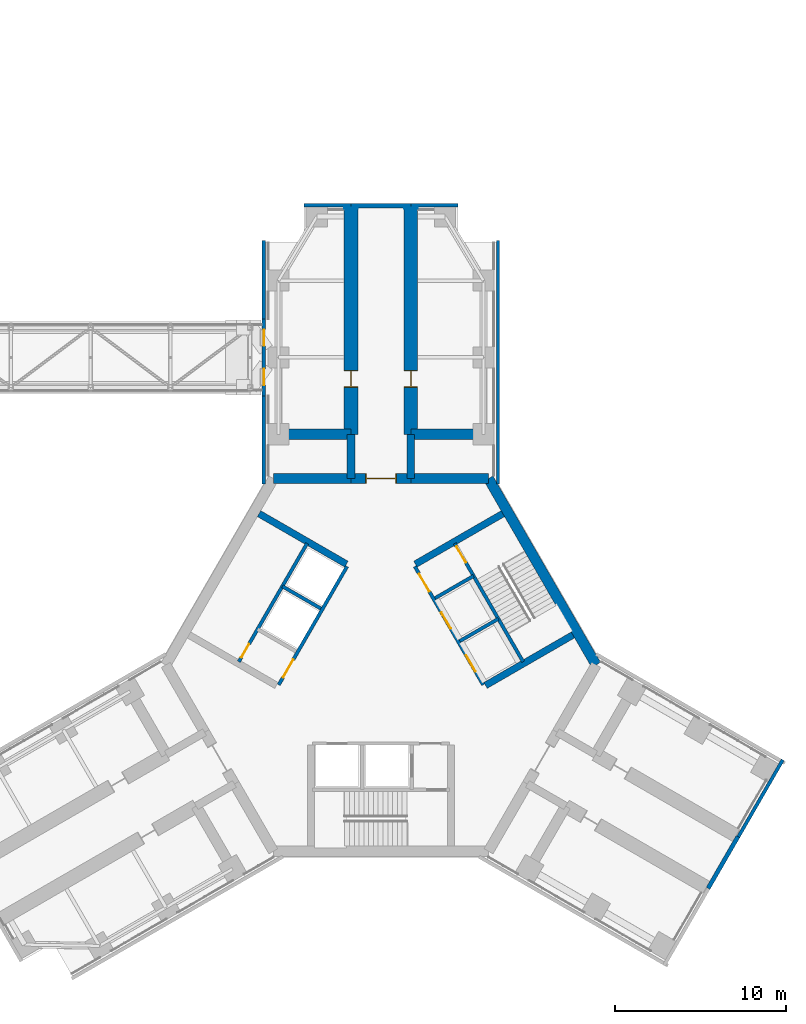
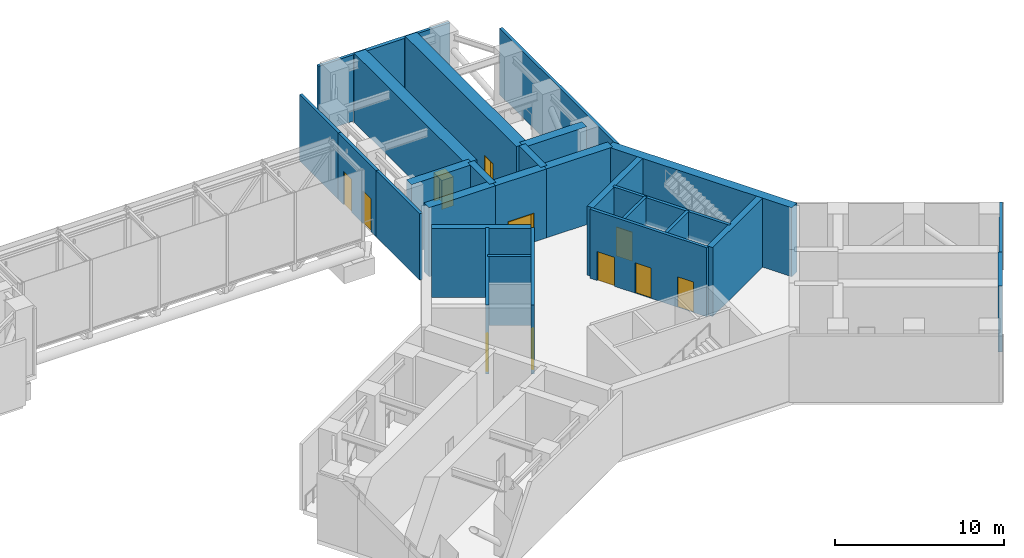
# One storey, part 10 of 15: 31 walls, 11 doors, 11 openings.
"""IFC4 building model written with IfcOpenShell, lengths in metres."""

from ifc_helpers import new_model, si_unit, direction, frame, frame_2d, origin, place, context, subcontext, project, spatial, rectangle, extrude, material, layer, layer_set, type_object, element, fill, save


model = new_model("IFC4")

# Units and contexts
model_context = context("Model", 3, precision=1e-05, world=origin(), true_north=direction((0.0, 1.0)))
body_context = subcontext(model_context, "Body", "Model", "MODEL_VIEW")
ifc_project = project(units=[si_unit("LENGTHUNIT", "METRE"), si_unit("AREAUNIT", "SQUARE_METRE"), si_unit("VOLUMEUNIT", "CUBIC_METRE"), si_unit("PLANEANGLEUNIT", "RADIAN"), si_unit("MASSUNIT", "GRAM", prefix="KILO")], contexts=[model_context])

# Site, building, storey
site_placement = place(None, origin())
site = spatial("IfcSite", under=ifc_project, at=site_placement, CompositionType="ELEMENT")
building_placement = place(site_placement, origin())
building = spatial("IfcBuilding", under=site, at=building_placement, Name="Upepo Twin Towers", CompositionType="ELEMENT")
storey_placement = place(building_placement, frame((0.0, 0.0, 165.5)))
storey = spatial("IfcBuildingStorey", under=building, at=storey_placement, Name="L40", CompositionType="ELEMENT", Elevation=165.5)

# Walls
ifc_material_1 = material(Name="Precast concrete breeze blocks", Category="concrete")
ifc_layer_1 = layer(ifc_material_1, 0.199951171875)
ifc_layer_set_1 = layer_set([ifc_layer_1], Name="Breeze-block screen wall 200")
wall_type_1 = type_object("IfcWallType", Name="Breeze-block screen wall 200", PredefinedType="USERDEFINED", material=ifc_layer_set_1)
wall_1_placement = place(storey_placement, frame((51.64990234375, -7.412841796875, 0.0), z_axis=(0.0, 0.0, 1.0), x_axis=(0.0, 1.0, 0.0)))
element("IfcWall", 1, at=wall_1_placement, inside=storey, type_object=wall_type_1, Name="T2 L40 wing A screen L1", ObjectType="SCREEN", PredefinedType="USERDEFINED", context=body_context, shape_type="SweptSolid", body=[
    extrude(rectangle(XDim=5.162841796875, YDim=0.199951171875, at=frame_2d((2.58154296875, 0.0))), origin(), (0.0, 0.0, 1.0), 4.800048828125),
])
wall_2_placement = place(storey_placement, frame((51.64990234375, 2.25, 0.0), z_axis=(0.0, 0.0, 1.0), x_axis=(0.0, 1.0, 0.0)))
element("IfcWall", 2, at=wall_2_placement, inside=storey, type_object=wall_type_1, Name="T2 L40 wing A screen L2", ObjectType="SCREEN", PredefinedType="USERDEFINED", context=body_context, shape_type="SweptSolid", body=[
    extrude(rectangle(XDim=4.60009765625, YDim=0.199951171875, at=frame_2d((2.300048828125, 0.0))), origin(), (0.0, 0.0, 1.0), 4.800048828125),
])
wall_3_placement = place(storey_placement, frame((65.35009765625, 6.85009765625, 0.0), z_axis=(0.0, 0.0, 1.0), x_axis=(0.0, -1.0, 0.0)))
element("IfcWall", 3, at=wall_3_placement, inside=storey, type_object=wall_type_1, Name="T2 L40 wing A screen R", ObjectType="SCREEN", PredefinedType="USERDEFINED", context=body_context, shape_type="SweptSolid", body=[
    extrude(rectangle(XDim=14.262939453125, YDim=0.199951171875, at=frame_2d((7.13134765625, 0.0))), origin(), (0.0, 0.0, 1.0), 4.800048828125),
])
for number, where, z_axis, x_axis, name in (
    (4, (63.0, 8.89990234375, 0.0), (0.0, 0.0, 1.0), (-1.0, 0.0, 0.0), "T2 L40 wing A nose screen 0"),
    (5, (56.75, 8.89990234375, 0.0), (0.0, 0.0, 1.0), (-1.0, 0.0, 0.0), "T2 L40 wing A nose screen 2"),
):
    element("IfcWall", number, at=place(storey_placement, frame(where, z_axis=z_axis, x_axis=x_axis)), inside=storey, type_object=wall_type_1, Name=name, ObjectType="SCREEN", PredefinedType="USERDEFINED", context=body_context, shape_type="SweptSolid", body=[
        extrude(rectangle(XDim=2.75, YDim=0.199951171875, at=frame_2d((1.375, 0.0))), origin(), (0.0, 0.0, 1.0), 4.800048828125),
    ])
wall_4_placement = place(storey_placement, frame((79.423583984375, -28.0595703125, 0.0), z_axis=(0.0, 0.0, 1.0), x_axis=(0.499971721724, 0.866041729639, 0.0)))
element("IfcWall", 6, at=wall_4_placement, inside=storey, type_object=wall_type_1, Name="T2 L40 wing C nose screen 2", ObjectType="SCREEN", PredefinedType="USERDEFINED", context=body_context, shape_type="SweptSolid", body=[
    extrude(rectangle(XDim=5.199951171875, YDim=0.199951171875, at=frame_2d((2.60009765625, 0.0))), origin(), (0.0, 0.0, 1.0), 4.800048828125),
])
ifc_material_2 = material(Name="Dense concrete blockwork", Category="masonry")
ifc_layer_2 = layer(ifc_material_2, 0.800048828125)
ifc_layer_set_2 = layer_set([ifc_layer_2], Name="Buttress closer 800, blockwork with fire-stopping to the curtain wall")
wall_type_2 = type_object("IfcWallType", Name="Buttress closer 800, blockwork with fire-stopping to the curtain wall", PredefinedType="PARTITIONING", material=ifc_layer_set_2)
for number, where, z_axis, x_axis, name in (
    (7, (56.75, 8.699951171875, 0.0), (0.0, 0.0, 1.0), (0.0, 1.0, 0.0), "T2 L40 wing A buttress closer L"),
    (8, (60.25, 8.699951171875, 0.0), (0.0, 0.0, 1.0), (0.0, 1.0, 0.0), "T2 L40 wing A buttress closer R"),
):
    element("IfcWall", number, at=place(storey_placement, frame(where, z_axis=z_axis, x_axis=x_axis)), inside=storey, type_object=wall_type_2, Name=name, PredefinedType="PARTITIONING", context=body_context, shape_type="SweptSolid", body=[
        extrude(rectangle(XDim=0.050048828125, YDim=0.800048828125, at=frame_2d((0.02490234375, 0.0))), origin(), (0.0, 0.0, 1.0), 4.800048828125),
    ])
ifc_material_3 = material(Name="Concrete C60/75", Category="concrete")
ifc_layer_3 = layer(ifc_material_3, 0.449951171875)
ifc_layer_set_3 = layer_set([ifc_layer_3], Name="Concrete C60/75")
wall_type_3 = type_object("IfcWallType", Name="Buttress wall 450 RC", PredefinedType="SHEAR", material=ifc_layer_set_3)
for number, where, z_axis, x_axis, name in (
    (9, (56.75, -7.091552734375, 0.0), (0.0, 0.0, 1.0), (0.0, 1.0, 0.0), "T2 wing A buttress wall L"),
    (10, (60.25, -7.091552734375, 0.0), (0.0, 0.0, 1.0), (0.0, 1.0, 0.0), "T2 wing A buttress wall R"),
):
    element("IfcWall", number, at=place(storey_placement, frame(where, z_axis=z_axis, x_axis=x_axis)), inside=storey, type_object=wall_type_3, Name=name, PredefinedType="SHEAR", context=body_context, shape_type="SweptSolid", body=[
        extrude(rectangle(XDim=2.591552734375, YDim=0.449951171875, at=frame_2d((1.2958984375, 0.0))), origin(), (0.0, 0.0, 1.0), 5.0),
    ])

# Wall, opening, door
ifc_material_4 = material(Name="Concrete C60/75", Category="concrete")
ifc_layer_4 = layer(ifc_material_4, 0.800048828125)
ifc_layer_set_4 = layer_set([ifc_layer_4], Name="Concrete C60/75")
wall_type_4 = type_object("IfcWallType", Name="Buttress wall 800 RC", PredefinedType="SHEAR", material=ifc_layer_set_4)
wall_5_placement = place(storey_placement, frame((56.75, -4.5, 0.0), z_axis=(0.0, 0.0, 1.0), x_axis=(0.0, 1.0, 0.0)))
wall_5 = element("IfcWall", 11, at=wall_5_placement, inside=storey, type_object=wall_type_4, Name="T2 wing A buttress wall L part 2", PredefinedType="SHEAR", context=body_context, shape_type="SweptSolid", body=[
    extrude(rectangle(XDim=13.199951171875, YDim=0.800048828125, at=frame_2d((6.60009765625, 0.0))), origin(), (0.0, 0.0, 1.0), 5.0),
])
opening_1_placement = place(wall_5_placement, frame((2.75, 0.0, 0.0)))
opening_1 = element("IfcOpeningElement", 12, at=opening_1_placement, cuts=wall_5, Name="Opening D1", PredefinedType="OPENING", context=body_context, shape_type="SweptSolid", body=[
    extrude(rectangle(XDim=1.0, YDim=2.10009765625, at=frame_2d((0.5, 1.050048828125))), frame((0.0, 0.409912109375, 0.0), z_axis=(0.0, -1.0, 0.0), x_axis=(1.0, 0.0, 0.0)), (0.0, 0.0, 1.0), 0.820068359375),
])
ifc_material_5 = material(Name="Timber doorset", Category="wood")
door_type_1 = type_object("IfcDoorType", Name="Room door 1000 FD30", OperationType="SINGLE_SWING_LEFT", PredefinedType="DOOR", material=ifc_material_5)
door_1_placement = place(opening_1_placement, origin())
door_1 = element("IfcDoor", 13, at=door_1_placement, inside=storey, type_object=door_type_1, Name="T2 L40 refuge area door", OperationType="SINGLE_SWING_LEFT", OverallHeight=2.10009765625, OverallWidth=1.0, PredefinedType="DOOR", context=body_context, shape_type="SweptSolid", body=[
    extrude(rectangle(XDim=0.92, YDim=2.06009765625, at=frame_2d((0.5, 1.030029296875))), frame((0.0, 0.02490234375, 0.0), z_axis=(0.0, -1.0, 0.0), x_axis=(1.0, 0.0, 0.0)), (0.0, 0.0, 1.0), 0.050048828125),
    extrude(rectangle(XDim=0.04, YDim=2.10009765625, at=frame_2d((0.02001953125, 1.050048828125))), frame((0.0, 0.39990234375, 0.0), z_axis=(0.0, -1.0, 0.0), x_axis=(1.0, 0.0, 0.0)), (0.0, 0.0, 1.0), 0.799560546875),
    extrude(rectangle(XDim=0.04, YDim=2.10009765625, at=frame_2d((0.97998046875, 1.050048828125))), frame((0.0, 0.39990234375, 0.0), z_axis=(0.0, -1.0, 0.0), x_axis=(1.0, 0.0, 0.0)), (0.0, 0.0, 1.0), 0.799560546875),
    extrude(rectangle(XDim=0.92, YDim=0.04, at=frame_2d((0.5, 2.080078125))), frame((0.0, 0.39990234375, 0.0), z_axis=(0.0, -1.0, 0.0), x_axis=(1.0, 0.0, 0.0)), (0.0, 0.0, 1.0), 0.799560546875),
])
fill(opening_1, door_1)

wall_6_placement = place(storey_placement, frame((60.25, -4.5, 0.0), z_axis=(0.0, 0.0, 1.0), x_axis=(0.0, 1.0, 0.0)))
wall_6 = element("IfcWall", 14, at=wall_6_placement, inside=storey, type_object=wall_type_4, Name="T2 wing A buttress wall R part 2", PredefinedType="SHEAR", context=body_context, shape_type="SweptSolid", body=[
    extrude(rectangle(XDim=13.199951171875, YDim=0.800048828125, at=frame_2d((6.60009765625, 0.0))), origin(), (0.0, 0.0, 1.0), 5.0),
])
opening_2_placement = place(wall_6_placement, frame((2.75, 0.0, 0.0)))
opening_2 = element("IfcOpeningElement", 15, at=opening_2_placement, cuts=wall_6, Name="Opening D1", PredefinedType="OPENING", context=body_context, shape_type="SweptSolid", body=[
    extrude(rectangle(XDim=1.0, YDim=2.10009765625, at=frame_2d((0.5, 1.050048828125))), frame((0.0, 0.409912109375, 0.0), z_axis=(0.0, -1.0, 0.0), x_axis=(1.0, 0.0, 0.0)), (0.0, 0.0, 1.0), 0.820068359375),
])
door_2_placement = place(opening_2_placement, origin())
door_2 = element("IfcDoor", 16, at=door_2_placement, inside=storey, type_object=door_type_1, Name="T2 L40 air-handling plant room door", OperationType="SINGLE_SWING_LEFT", OverallHeight=2.10009765625, OverallWidth=1.0, PredefinedType="DOOR", context=body_context, shape_type="SweptSolid", body=[
    extrude(rectangle(XDim=0.92, YDim=2.06009765625, at=frame_2d((0.5, 1.030029296875))), frame((0.0, 0.02490234375, 0.0), z_axis=(0.0, -1.0, 0.0), x_axis=(1.0, 0.0, 0.0)), (0.0, 0.0, 1.0), 0.050048828125),
    extrude(rectangle(XDim=0.04, YDim=2.10009765625, at=frame_2d((0.02001953125, 1.050048828125))), frame((0.0, 0.39990234375, 0.0), z_axis=(0.0, -1.0, 0.0), x_axis=(1.0, 0.0, 0.0)), (0.0, 0.0, 1.0), 0.799560546875),
    extrude(rectangle(XDim=0.04, YDim=2.10009765625, at=frame_2d((0.97998046875, 1.050048828125))), frame((0.0, 0.39990234375, 0.0), z_axis=(0.0, -1.0, 0.0), x_axis=(1.0, 0.0, 0.0)), (0.0, 0.0, 1.0), 0.799560546875),
    extrude(rectangle(XDim=0.92, YDim=0.04, at=frame_2d((0.5, 2.080078125))), frame((0.0, 0.39990234375, 0.0), z_axis=(0.0, -1.0, 0.0), x_axis=(1.0, 0.0, 0.0)), (0.0, 0.0, 1.0), 0.799560546875),
])
fill(opening_2, door_2)

# Wall
ifc_material_6 = material(Name="Concrete C60/75", Category="concrete")
ifc_layer_5 = layer(ifc_material_6, 0.60009765625)
ifc_layer_set_5 = layer_set([ifc_layer_5], Name="Concrete C60/75")
wall_type_5 = type_object("IfcWallType", Name="Core wall 600 RC", PredefinedType="SHEAR", material=ifc_layer_set_5)
wall_7_placement = place(storey_placement, frame((64.7978515625, -7.091552734375, 0.0), z_axis=(0.0, 0.0, 1.0), x_axis=(-1.0, 0.0, 0.0)))
element("IfcWall", 17, at=wall_7_placement, inside=storey, type_object=wall_type_5, Name="T2 core wall 000 R", PredefinedType="SHEAR", context=body_context, shape_type="SweptSolid", body=[
    extrude(rectangle(XDim=4.5478515625, YDim=0.60009765625, at=frame_2d((2.27392578125, 0.0))), origin(), (0.0, 0.0, 1.0), 5.0),
])

# Wall, opening, door
wall_8_placement = place(storey_placement, frame((60.25, -7.091552734375, 0.0), z_axis=(0.0, 0.0, 1.0), x_axis=(-1.0, 0.0, 0.0)))
wall_8 = element("IfcWall", 18, at=wall_8_placement, inside=storey, type_object=wall_type_5, Name="T2 core wall 000", PredefinedType="SHEAR", context=body_context, shape_type="SweptSolid", body=[
    extrude(rectangle(XDim=3.5, YDim=0.60009765625, at=frame_2d((1.75, 0.0))), origin(), (0.0, 0.0, 1.0), 5.0),
])
opening_3_placement = place(wall_8_placement, frame((0.85009765625, 0.0, 0.0)))
opening_3 = element("IfcOpeningElement", 19, at=opening_3_placement, cuts=wall_8, Name="Opening D2", PredefinedType="OPENING", context=body_context, shape_type="SweptSolid", body=[
    extrude(rectangle(XDim=1.800048828125, YDim=2.10009765625, at=frame_2d((0.89990234375, 1.050048828125))), frame((0.0, 0.31005859375, 0.0), z_axis=(0.0, -1.0, 0.0), x_axis=(1.0, 0.0, 0.0)), (0.0, 0.0, 1.0), 0.6201171875),
])
ifc_material_7 = material(Name="Timber doorset", Category="wood")
door_type_2 = type_object("IfcDoorType", Name="Corridor double door 1800 FD60", OperationType="DOUBLE_DOOR_DOUBLE_SWING", PredefinedType="DOOR", material=ifc_material_7)
door_3_placement = place(opening_3_placement, origin())
door_3 = element("IfcDoor", 20, at=door_3_placement, inside=storey, type_object=door_type_2, Name="T2 L40 wing A corridor door", OperationType="DOUBLE_DOOR_DOUBLE_SWING", OverallHeight=2.10009765625, OverallWidth=1.800048828125, PredefinedType="DOOR", context=body_context, shape_type="SweptSolid", body=[
    extrude(rectangle(XDim=1.720048828125, YDim=2.06009765625, at=frame_2d((0.89990234375, 1.030029296875))), frame((0.0, 0.02490234375, 0.0), z_axis=(0.0, -1.0, 0.0), x_axis=(1.0, 0.0, 0.0)), (0.0, 0.0, 1.0), 0.050048828125),
    extrude(rectangle(XDim=0.04, YDim=2.10009765625, at=frame_2d((0.02001953125, 1.050048828125))), frame((0.0, 0.2998046875, 0.0), z_axis=(0.0, -1.0, 0.0), x_axis=(1.0, 0.0, 0.0)), (0.0, 0.0, 1.0), 0.599609375),
    extrude(rectangle(XDim=0.04, YDim=2.10009765625, at=frame_2d((1.780029296875, 1.050048828125))), frame((0.0, 0.2998046875, 0.0), z_axis=(0.0, -1.0, 0.0), x_axis=(1.0, 0.0, 0.0)), (0.0, 0.0, 1.0), 0.599609375),
    extrude(rectangle(XDim=1.720048828125, YDim=0.04, at=frame_2d((0.89990234375, 2.080078125))), frame((0.0, 0.2998046875, 0.0), z_axis=(0.0, -1.0, 0.0), x_axis=(1.0, 0.0, 0.0)), (0.0, 0.0, 1.0), 0.599609375),
])
fill(opening_3, door_3)

# Walls
wall_9_placement = place(storey_placement, frame((56.75, -7.091552734375, 0.0), z_axis=(0.0, 0.0, 1.0), x_axis=(-1.0, 0.0, 0.0)))
element("IfcWall", 21, at=wall_9_placement, inside=storey, type_object=wall_type_5, Name="T2 core wall 000 L", PredefinedType="SHEAR", context=body_context, shape_type="SweptSolid", body=[
    extrude(rectangle(XDim=4.5478515625, YDim=0.60009765625, at=frame_2d((2.27392578125, 0.0))), origin(), (0.0, 0.0, 1.0), 5.0),
])
wall_10_placement = place(storey_placement, frame((71.095947265625, -18.0, 0.0), z_axis=(0.0, 0.0, 1.0), x_axis=(-0.500005998175, 0.866021940709, 0.0)))
element("IfcWall", 22, at=wall_10_placement, inside=storey, type_object=wall_type_5, Name="T2 core wall 300", PredefinedType="SHEAR", context=body_context, shape_type="SweptSolid", body=[
    extrude(rectangle(XDim=12.595947265625, YDim=0.60009765625, at=frame_2d((6.2978515625, 0.0))), origin(), (0.0, 0.0, 1.0), 5.0),
])
ifc_material_8 = material(Name="Blockwork with anodised aluminium cladding", Category="masonry")
ifc_layer_6 = layer(ifc_material_8, 0.25)
ifc_layer_set_6 = layer_set([ifc_layer_6], Name="Notch cladding wall 250, pale metal")
wall_type_6 = type_object("IfcWallType", Name="Notch cladding wall 250, pale metal", PredefinedType="STANDARD", material=ifc_layer_set_6)
wall_11_placement = place(storey_placement, frame((60.25, 8.875, 0.0), z_axis=(0.0, 0.0, 1.0), x_axis=(-1.0, 0.0, 0.0)))
element("IfcWall", 23, at=wall_11_placement, inside=storey, type_object=wall_type_6, Name="T2 L40 wing A nose wall", PredefinedType="STANDARD", context=body_context, shape_type="SweptSolid", body=[
    extrude(rectangle(XDim=3.5, YDim=0.25, at=frame_2d((1.75, 0.0))), origin(), (0.0, 0.0, 1.0), 4.800048828125),
])
wall_12_placement = place(storey_placement, frame((77.65185546875, -31.078125, 0.0), z_axis=(0.0, 0.0, 1.0), x_axis=(0.499980071345, 0.866036909293, 0.0)))
element("IfcWall", 24, at=wall_12_placement, inside=storey, type_object=wall_type_6, Name="T2 L40 wing C nose wall", PredefinedType="STANDARD", context=body_context, shape_type="SweptSolid", body=[
    extrude(rectangle(XDim=3.500244140625, YDim=0.25, at=frame_2d((1.75, 0.0))), origin(), (0.0, 0.0, 1.0), 4.800048828125),
])
ifc_material_9 = material(Name="Concrete C60/75", Category="concrete")
ifc_layer_7 = layer(ifc_material_9, 0.60009765625)
ifc_layer_set_7 = layer_set([ifc_layer_7], Name="Concrete C60/75")
wall_type_7 = type_object("IfcWallType", Name="Outrigger wall 600 RC", PredefinedType="SHEAR", material=ifc_layer_set_7)
for number, where, z_axis, x_axis, name in (
    (25, (56.75, -4.5, 0.0), (0.0, 0.0, 1.0), (-1.0, 0.0, 0.0), "T2 outrigger wall AL"),
    (26, (60.25, -4.5, 0.0), (0.0, 0.0, 1.0), (1.0, 0.0, 0.0), "T2 outrigger wall AR"),
):
    element("IfcWall", number, at=place(storey_placement, frame(where, z_axis=z_axis, x_axis=x_axis)), inside=storey, type_object=wall_type_7, Name=name, PredefinedType="SHEAR", context=body_context, shape_type="SweptSolid", body=[
        extrude(rectangle(XDim=4.25, YDim=0.60009765625, at=frame_2d((2.125, 0.0))), origin(), (0.0, 0.0, 1.0), 5.0),
    ])

# Wall, openings, doors
ifc_material_10 = material(Name="Concrete C40/50", Category="concrete")
ifc_layer_8 = layer(ifc_material_10, 0.25)
ifc_layer_set_8 = layer_set([ifc_layer_8], Name="Concrete C40/50")
wall_type_8 = type_object("IfcWallType", Name="Refuge fire wall 250 RC", PredefinedType="STANDARD", material=ifc_layer_set_8)
wall_13_placement = place(storey_placement, frame((51.64990234375, -2.25, 0.0), z_axis=(0.0, 0.0, 1.0), x_axis=(0.0, 1.0, 0.0)))
wall_13 = element("IfcWall", 27, at=wall_13_placement, inside=storey, type_object=wall_type_8, Name="T2 L40 bridge landing fire wall", PredefinedType="STANDARD", context=body_context, shape_type="SweptSolid", body=[
    extrude(rectangle(XDim=4.5, YDim=0.199951171875, at=frame_2d((2.25, 0.0))), origin(), (0.0, 0.0, 1.0), 4.800048828125),
])
opening_4_placement = place(wall_13_placement, frame((0.625, 0.0, 0.0)))
opening_4 = element("IfcOpeningElement", 28, at=opening_4_placement, cuts=wall_13, Name="Opening D12", PredefinedType="OPENING", context=body_context, shape_type="SweptSolid", body=[
    extrude(rectangle(XDim=0.949951171875, YDim=2.39990234375, at=frame_2d((0.47509765625, 1.199951171875))), frame((0.0, 0.10986328125, 0.0), z_axis=(0.0, -1.0, 0.0), x_axis=(1.0, 0.0, 0.0)), (0.0, 0.0, 1.0), 0.219970703125),
])
opening_5_placement = place(wall_13_placement, frame((2.925048828125, 0.0, 0.0)))
opening_5 = element("IfcOpeningElement", 29, at=opening_5_placement, cuts=wall_13, Name="Opening D12", PredefinedType="OPENING", context=body_context, shape_type="SweptSolid", body=[
    extrude(rectangle(XDim=0.949951171875, YDim=2.39990234375, at=frame_2d((0.47509765625, 1.199951171875))), frame((0.0, 0.10986328125, 0.0), z_axis=(0.0, -1.0, 0.0), x_axis=(1.0, 0.0, 0.0)), (0.0, 0.0, 1.0), 0.219970703125),
])
ifc_material_11 = material(Name="Aluminium glazed doorset", Category="aluminium")
door_type_3 = type_object("IfcDoorType", Name="Bridge door 950 FD60", OperationType="SINGLE_SWING_LEFT", PredefinedType="DOOR", material=ifc_material_11)
door_4_placement = place(opening_4_placement, origin())
door_4 = element("IfcDoor", 30, at=door_4_placement, inside=storey, type_object=door_type_3, Name="T2 L40 bridge door 1", OperationType="SINGLE_SWING_LEFT", OverallHeight=2.39990234375, OverallWidth=0.949951171875, PredefinedType="DOOR", context=body_context, shape_type="SweptSolid", body=[
    extrude(rectangle(XDim=0.949951171875, YDim=2.39990234375, at=frame_2d((0.47509765625, 1.199951171875))), frame((0.0, 0.02490234375, 0.0), z_axis=(0.0, -1.0, 0.0), x_axis=(1.0, 0.0, 0.0)), (0.0, 0.0, 1.0), 0.050048828125),
])
fill(opening_4, door_4)
door_5_placement = place(opening_5_placement, origin())
door_5 = element("IfcDoor", 31, at=door_5_placement, inside=storey, type_object=door_type_3, Name="T2 L40 bridge door 2", OperationType="SINGLE_SWING_RIGHT", OverallHeight=2.39990234375, OverallWidth=0.949951171875, PredefinedType="DOOR", context=body_context, shape_type="SweptSolid", body=[
    extrude(rectangle(XDim=0.949951171875, YDim=2.39990234375, at=frame_2d((0.47509765625, 1.199951171875))), frame((0.0, 0.02490234375, 0.0), z_axis=(0.0, -1.0, 0.0), x_axis=(1.0, 0.0, 0.0)), (0.0, 0.0, 1.0), 0.050048828125),
])
fill(opening_5, door_5)

# Wall, opening, door
ifc_material_12 = material(Name="Concrete C40/50", Category="concrete")
ifc_layer_9 = layer(ifc_material_12, 0.199951171875)
ifc_layer_set_9 = layer_set([ifc_layer_9], Name="Concrete C40/50")
wall_type_9 = type_object("IfcWallType", Name="Shaft wall 200 RC", PredefinedType="SHEAR", material=ifc_layer_set_9)
wall_14_placement = place(storey_placement, frame((56.516357421875, -12.23583984375, 0.0), z_axis=(0.0, 0.0, 1.0), x_axis=(-0.49999894854, -0.866026010844, 0.0)))
wall_14 = element("IfcWall", 32, at=wall_14_placement, inside=storey, type_object=wall_type_9, Name="T2 core W60 front wall", PredefinedType="SHEAR", context=body_context, shape_type="SweptSolid", body=[
    extrude(rectangle(XDim=8.0, YDim=0.199951171875, at=frame_2d((4.0, 0.0))), origin(), (0.0, 0.0, 1.0), 5.0),
])
opening_6_placement = place(wall_14_placement, frame((6.300048828125, 0.0, 0.0)))
opening_6 = element("IfcOpeningElement", 33, at=opening_6_placement, cuts=wall_14, Name="Opening D4", PredefinedType="OPENING", context=body_context, shape_type="SweptSolid", body=[
    extrude(rectangle(XDim=1.199951171875, YDim=2.10009765625, at=frame_2d((0.60009765625, 1.050048828125))), frame((0.0, 0.10986328125, 0.0), z_axis=(0.0, -1.0, 0.0), x_axis=(1.0, 0.0, 0.0)), (0.0, 0.0, 1.0), 0.219970703125),
])
ifc_material_13 = material(Name="Timber doorset", Category="wood")
door_type_4 = type_object("IfcDoorType", Name="Lobby door 1200 FD60", OperationType="SINGLE_SWING_LEFT", PredefinedType="DOOR", material=ifc_material_13)
door_6_placement = place(opening_6_placement, origin())
door_6 = element("IfcDoor", 34, at=door_6_placement, inside=storey, type_object=door_type_4, Name="T2 L40 W60 lobby door", OperationType="SINGLE_SWING_RIGHT", OverallHeight=2.10009765625, OverallWidth=1.199951171875, PredefinedType="DOOR", context=body_context, shape_type="SweptSolid", body=[
    extrude(rectangle(XDim=1.199951171875, YDim=2.10009765625, at=frame_2d((0.60009765625, 1.050048828125))), frame((0.0, 0.02490234375, 0.0), z_axis=(0.0, -1.0, 0.0), x_axis=(1.0, 0.0, 0.0)), (0.0, 0.0, 1.0), 0.050048828125),
])
fill(opening_6, door_6)

# Wall
wall_15_placement = place(storey_placement, frame((54.979736328125, -14.697265625, 0.0), z_axis=(0.0, 0.0, 1.0), x_axis=(-0.866062058628, 0.499936506574, 0.0)))
element("IfcWall", 35, at=wall_15_placement, inside=storey, type_object=wall_type_9, Name="T2 core W60 shaft divider", PredefinedType="SHEAR", context=body_context, shape_type="SweptSolid", body=[
    extrude(rectangle(XDim=2.599853515625, YDim=0.199951171875, at=frame_2d((1.2998046875, 0.0))), origin(), (0.0, 0.0, 1.0), 5.0),
])

# Wall, opening, door
wall_16_placement = place(storey_placement, frame((54.177978515625, -10.885986328125, 0.0), z_axis=(0.0, 0.0, 1.0), x_axis=(-0.49999894854, -0.866026010844, 0.0)))
wall_16 = element("IfcWall", 36, at=wall_16_placement, inside=storey, type_object=wall_type_9, Name="T2 core W60 stair wall", PredefinedType="SHEAR", context=body_context, shape_type="SweptSolid", body=[
    extrude(rectangle(XDim=8.0, YDim=0.199951171875, at=frame_2d((4.0, 0.0))), origin(), (0.0, 0.0, 1.0), 5.0),
])
opening_7_placement = place(wall_16_placement, frame((6.800048828125, 0.0, 0.0)))
opening_7 = element("IfcOpeningElement", 37, at=opening_7_placement, cuts=wall_16, Name="Opening D9", PredefinedType="OPENING", context=body_context, shape_type="SweptSolid", body=[
    extrude(rectangle(XDim=0.89990234375, YDim=2.10009765625, at=frame_2d((0.449951171875, 1.050048828125))), frame((0.0, 0.10986328125, 0.0), z_axis=(0.0, -1.0, 0.0), x_axis=(1.0, 0.0, 0.0)), (0.0, 0.0, 1.0), 0.219970703125),
])
ifc_material_14 = material(Name="Timber doorset", Category="wood")
door_type_5 = type_object("IfcDoorType", Name="Riser door 900 FD60", OperationType="SINGLE_SWING_LEFT", PredefinedType="DOOR", material=ifc_material_14)
door_7_placement = place(opening_7_placement, origin())
door_7 = element("IfcDoor", 38, at=door_7_placement, inside=storey, type_object=door_type_5, Name="T2 L40 riser door", OperationType="SINGLE_SWING_RIGHT", OverallHeight=2.10009765625, OverallWidth=0.89990234375, PredefinedType="DOOR", context=body_context, shape_type="SweptSolid", body=[
    extrude(rectangle(XDim=0.89990234375, YDim=2.10009765625, at=frame_2d((0.449951171875, 1.050048828125))), frame((0.0, 0.02490234375, 0.0), z_axis=(0.0, -1.0, 0.0), x_axis=(1.0, 0.0, 0.0)), (0.0, 0.0, 1.0), 0.050048828125),
])
fill(opening_7, door_7)

# Wall, openings, doors
wall_17_placement = place(storey_placement, frame((64.483642578125, -19.1640625, 0.0), z_axis=(0.0, 0.0, 1.0), x_axis=(-0.49999894854, 0.866026010844, 0.0)))
wall_17 = element("IfcWall", 39, at=wall_17_placement, inside=storey, type_object=wall_type_9, Name="T2 core W300 front wall", PredefinedType="SHEAR", context=body_context, shape_type="SweptSolid", body=[
    extrude(rectangle(XDim=8.0, YDim=0.199951171875, at=frame_2d((4.0, 0.0))), origin(), (0.0, 0.0, 1.0), 5.0),
])
opening_8_placement = place(wall_17_placement, frame((6.300048828125, 0.0, 0.0)))
opening_8 = element("IfcOpeningElement", 40, at=opening_8_placement, cuts=wall_17, Name="Opening D4", PredefinedType="OPENING", context=body_context, shape_type="SweptSolid", body=[
    extrude(rectangle(XDim=1.199951171875, YDim=2.10009765625, at=frame_2d((0.60009765625, 1.050048828125))), frame((0.0, 0.10986328125, 0.0), z_axis=(0.0, -1.0, 0.0), x_axis=(1.0, 0.0, 0.0)), (0.0, 0.0, 1.0), 0.219970703125),
])
opening_9_placement = place(wall_17_placement, frame((0.89990234375, 0.0, 0.0)))
opening_9 = element("IfcOpeningElement", 41, at=opening_9_placement, cuts=wall_17, Name="Opening LD1", PredefinedType="OPENING", context=body_context, shape_type="SweptSolid", body=[
    extrude(rectangle(XDim=1.10009765625, YDim=2.199951171875, at=frame_2d((0.550048828125, 1.10009765625))), frame((0.0, 0.10986328125, 0.0), z_axis=(0.0, -1.0, 0.0), x_axis=(1.0, 0.0, 0.0)), (0.0, 0.0, 1.0), 0.219970703125),
])
opening_10_placement = place(wall_17_placement, frame((3.800048828125, 0.0, 0.0)))
opening_10 = element("IfcOpeningElement", 42, at=opening_10_placement, cuts=wall_17, Name="Opening LD1", PredefinedType="OPENING", context=body_context, shape_type="SweptSolid", body=[
    extrude(rectangle(XDim=1.10009765625, YDim=2.199951171875, at=frame_2d((0.550048828125, 1.10009765625))), frame((0.0, 0.10986328125, 0.0), z_axis=(0.0, -1.0, 0.0), x_axis=(1.0, 0.0, 0.0)), (0.0, 0.0, 1.0), 0.219970703125),
])
ifc_material_15 = material(Name="Steel doorset", Category="steel")
door_type_6 = type_object("IfcDoorType", Name="Lift landing door 1100", OperationType="DOUBLE_DOOR_SLIDING", PredefinedType="DOOR", material=ifc_material_15)
door_8_placement = place(opening_9_placement, origin())
door_8 = element("IfcDoor", 43, at=door_8_placement, inside=storey, type_object=door_type_6, Name="T2 L40 lift ML1 landing door", OperationType="DOUBLE_DOOR_SLIDING", OverallHeight=2.199951171875, OverallWidth=1.10009765625, PredefinedType="DOOR", context=body_context, shape_type="SweptSolid", body=[
    extrude(rectangle(XDim=1.10009765625, YDim=2.199951171875, at=frame_2d((0.550048828125, 1.10009765625))), frame((0.0, 0.02490234375, 0.0), z_axis=(0.0, -1.0, 0.0), x_axis=(1.0, 0.0, 0.0)), (0.0, 0.0, 1.0), 0.050048828125),
])
fill(opening_9, door_8)
door_9_placement = place(opening_10_placement, origin())
door_9 = element("IfcDoor", 44, at=door_9_placement, inside=storey, type_object=door_type_6, Name="T2 L40 lift ML2 landing door", OperationType="DOUBLE_DOOR_SLIDING", OverallHeight=2.199951171875, OverallWidth=1.10009765625, PredefinedType="DOOR", context=body_context, shape_type="SweptSolid", body=[
    extrude(rectangle(XDim=1.10009765625, YDim=2.199951171875, at=frame_2d((0.550048828125, 1.10009765625))), frame((0.0, 0.02490234375, 0.0), z_axis=(0.0, -1.0, 0.0), x_axis=(1.0, 0.0, 0.0)), (0.0, 0.0, 1.0), 0.050048828125),
])
fill(opening_10, door_9)
door_10_placement = place(opening_8_placement, origin())
door_10 = element("IfcDoor", 45, at=door_10_placement, inside=storey, type_object=door_type_4, Name="T2 L40 W300 lobby door", OperationType="SINGLE_SWING_RIGHT", OverallHeight=2.10009765625, OverallWidth=1.199951171875, PredefinedType="DOOR", context=body_context, shape_type="SweptSolid", body=[
    extrude(rectangle(XDim=1.199951171875, YDim=2.10009765625, at=frame_2d((0.60009765625, 1.050048828125))), frame((0.0, 0.02490234375, 0.0), z_axis=(0.0, -1.0, 0.0), x_axis=(1.0, 0.0, 0.0)), (0.0, 0.0, 1.0), 0.050048828125),
])
fill(opening_8, door_10)

# Walls
wall_18_placement = place(storey_placement, frame((63.120361328125, -16.6025390625, 0.0), z_axis=(0.0, 0.0, 1.0), x_axis=(0.866062058628, 0.499936506574, 0.0)))
element("IfcWall", 46, at=wall_18_placement, inside=storey, type_object=wall_type_9, Name="T2 core W300 shaft divider", PredefinedType="SHEAR", context=body_context, shape_type="SweptSolid", body=[
    extrude(rectangle(XDim=2.599853515625, YDim=0.199951171875, at=frame_2d((1.2998046875, 0.0))), origin(), (0.0, 0.0, 1.0), 5.0),
])
wall_19_placement = place(storey_placement, frame((61.67041015625, -14.091064453125, 0.0), z_axis=(0.0, 0.0, 1.0), x_axis=(0.86603858612, 0.49997716683, 0.0)))
element("IfcWall", 47, at=wall_19_placement, inside=storey, type_object=wall_type_9, Name="T2 core W300 lobby wall", PredefinedType="SHEAR", context=body_context, shape_type="SweptSolid", body=[
    extrude(rectangle(XDim=2.599609375, YDim=0.199951171875, at=frame_2d((1.2998046875, 0.0))), origin(), (0.0, 0.0, 1.0), 5.0),
])

# Wall, opening, door
wall_20_placement = place(storey_placement, frame((66.822021484375, -17.814208984375, 0.0), z_axis=(0.0, 0.0, 1.0), x_axis=(-0.49999894854, 0.866026010844, 0.0)))
wall_20 = element("IfcWall", 48, at=wall_20_placement, inside=storey, type_object=wall_type_9, Name="T2 core W300 stair wall", PredefinedType="SHEAR", context=body_context, shape_type="SweptSolid", body=[
    extrude(rectangle(XDim=8.0, YDim=0.199951171875, at=frame_2d((4.0, 0.0))), origin(), (0.0, 0.0, 1.0), 5.0),
])
opening_11_placement = place(wall_20_placement, frame((6.699951171875, 0.0, 0.0)))
opening_11 = element("IfcOpeningElement", 49, at=opening_11_placement, cuts=wall_20, Name="Opening D3", PredefinedType="OPENING", context=body_context, shape_type="SweptSolid", body=[
    extrude(rectangle(XDim=1.10009765625, YDim=2.10009765625, at=frame_2d((0.550048828125, 1.050048828125))), frame((0.0, 0.10986328125, 0.0), z_axis=(0.0, -1.0, 0.0), x_axis=(1.0, 0.0, 0.0)), (0.0, 0.0, 1.0), 0.219970703125),
])
ifc_material_16 = material(Name="Timber doorset", Category="wood")
door_type_7 = type_object("IfcDoorType", Name="Stair door 1100 FD60", OperationType="SINGLE_SWING_LEFT", PredefinedType="DOOR", material=ifc_material_16)
door_11_placement = place(opening_11_placement, origin())
door_11 = element("IfcDoor", 50, at=door_11_placement, inside=storey, type_object=door_type_7, Name="T2 L40 stair door", OperationType="SINGLE_SWING_RIGHT", OverallHeight=2.10009765625, OverallWidth=1.10009765625, PredefinedType="DOOR", context=body_context, shape_type="SweptSolid", body=[
    extrude(rectangle(XDim=1.10009765625, YDim=2.10009765625, at=frame_2d((0.550048828125, 1.050048828125))), frame((0.0, 0.02490234375, 0.0), z_axis=(0.0, -1.0, 0.0), x_axis=(1.0, 0.0, 0.0)), (0.0, 0.0, 1.0), 0.050048828125),
])
fill(opening_11, door_11)

# Walls
ifc_material_17 = material(Name="Concrete C40/50", Category="concrete")
ifc_layer_10 = layer(ifc_material_17, 0.39990234375)
ifc_layer_set_10 = layer_set([ifc_layer_10], Name="Concrete C40/50")
wall_type_10 = type_object("IfcWallType", Name="Shaft wall 400 RC", PredefinedType="SHEAR", material=ifc_layer_set_10)
for number, where, z_axis, x_axis, name in (
    (51, (56.479736328125, -12.099365234375, 0.0), (0.0, 0.0, 1.0), (-0.866009424208, 0.500027676417, 0.0), "T2 core W60 side wall S"),
    (52, (60.520263671875, -12.099365234375, 0.0), (0.0, 0.0, 1.0), (0.866009424208, 0.500027676417, 0.0), "T2 core W300 side wall N"),
):
    element("IfcWall", number, at=place(storey_placement, frame(where, z_axis=z_axis, x_axis=x_axis)), inside=storey, type_object=wall_type_10, Name=name, PredefinedType="SHEAR", context=body_context, shape_type="SweptSolid", body=[
        extrude(rectangle(XDim=5.908447265625, YDim=0.39990234375, at=frame_2d((2.9541015625, 0.0))), origin(), (0.0, 0.0, 1.0), 5.0),
    ])
wall_21_placement = place(storey_placement, frame((64.620361328125, -19.20068359375, 0.0), z_axis=(0.0, 0.0, 1.0), x_axis=(0.866027317282, 0.49999668571, 0.0)))
element("IfcWall", 53, at=wall_21_placement, inside=storey, type_object=wall_type_10, Name="T2 core W300 side wall S", PredefinedType="SHEAR", context=body_context, shape_type="SweptSolid", body=[
    extrude(rectangle(XDim=5.908203125, YDim=0.39990234375, at=frame_2d((2.9541015625, 0.0))), origin(), (0.0, 0.0, 1.0), 5.0),
])

save(model, "model.ifc")
